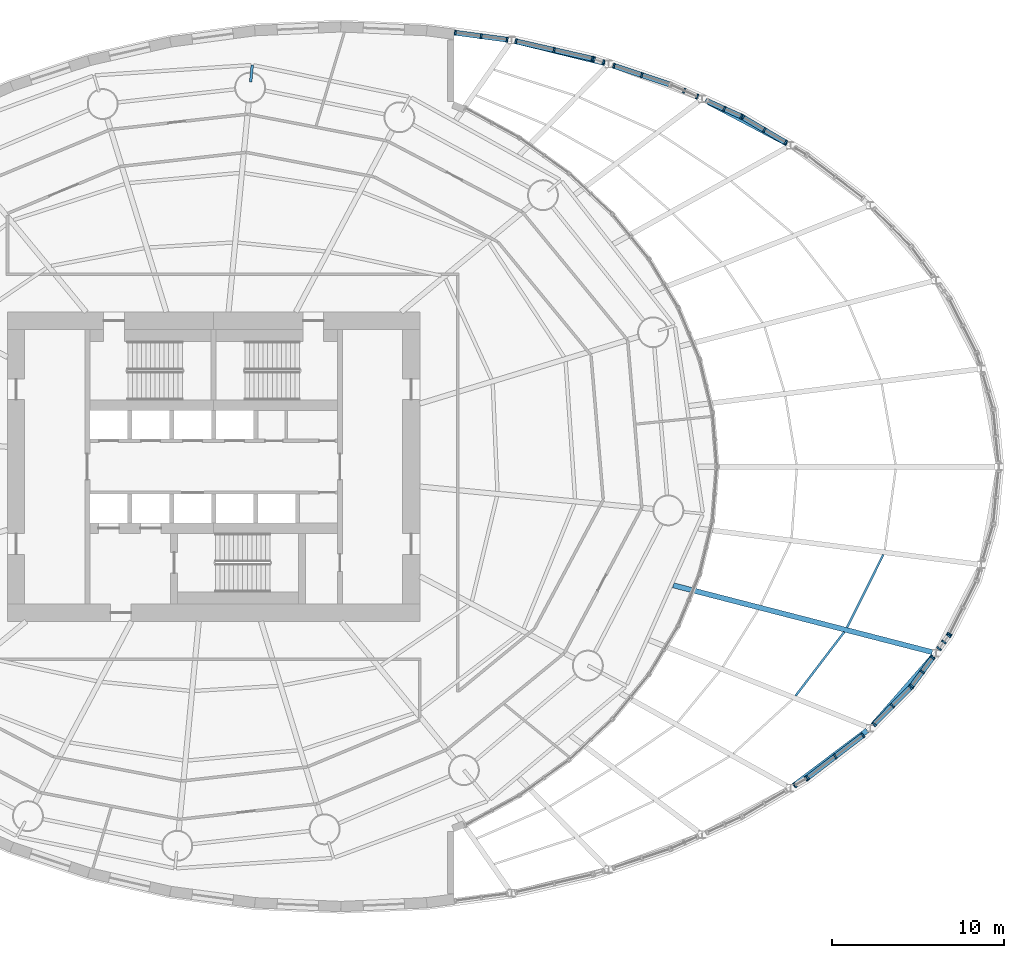
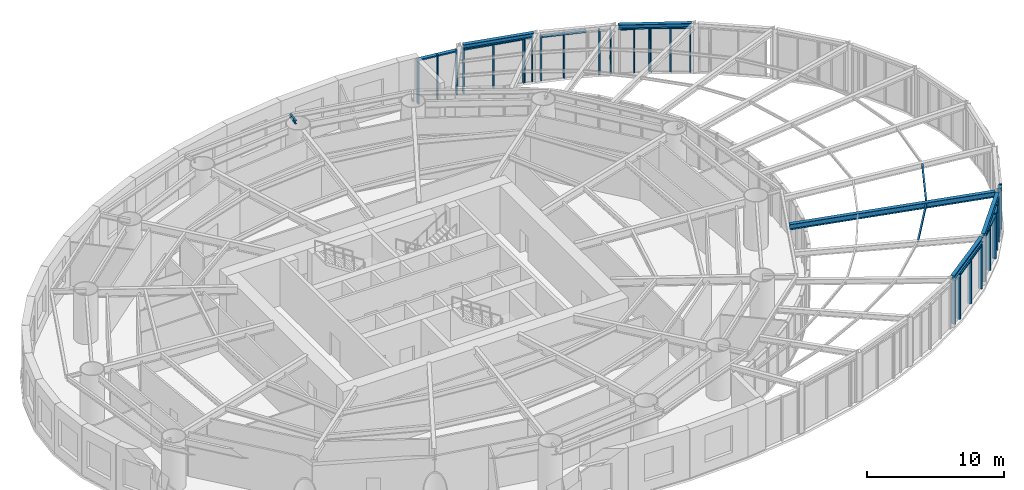
# One storey, part 10 of 23: 48 members, 8 beams, 13 elements without a shape of their own.
"""IFC4 building model written with IfcOpenShell, lengths in metres."""

from ifc_helpers import new_model, si_unit, direction, frame, origin, origin_2d, place, context, subcontext, project, spatial, rectangle, i_section, extrude, material, material_profile, profile_set, type_object, element, aggregate, save


model = new_model("IFC4")

# Units and contexts
model_context = context("Model", 3, precision=1e-05, world=origin(), true_north=direction((0.0, 1.0)))
body_context = subcontext(model_context, "Body", "Model", "MODEL_VIEW")
ifc_project = project(units=[si_unit("LENGTHUNIT", "METRE"), si_unit("AREAUNIT", "SQUARE_METRE"), si_unit("VOLUMEUNIT", "CUBIC_METRE"), si_unit("PLANEANGLEUNIT", "RADIAN"), si_unit("MASSUNIT", "GRAM", prefix="KILO")], contexts=[model_context])

# Site, building, storey
site_placement = place(None, origin())
site = spatial("IfcSite", under=ifc_project, at=site_placement, CompositionType="ELEMENT")
building_placement = place(site_placement, origin())
building = spatial("IfcBuilding", under=site, at=building_placement, Name="Vermilion Reach Broadcast Tower", CompositionType="ELEMENT")
storey_placement = place(building_placement, frame((0.0, 0.0, 31.5)))
storey = spatial("IfcBuildingStorey", under=building, at=storey_placement, Name="L04", CompositionType="ELEMENT", Elevation=31.5)

# Curtain wall, members
ifc_material_1 = material(Name="Low-e laminated clear glass in aluminium frame", Category="aluminium")
curtain_wall_type = type_object("IfcCurtainWallType", Name="Atrium outer wall curtain wall", PredefinedType="NOTDEFINED", material=ifc_material_1)
placement = place(storey_placement, origin())
curtain_wall_1 = element("IfcCurtainWall", 1, at=placement, inside=storey, type_object=curtain_wall_type, Name="Atrium wall L04 05-2", PredefinedType="NOTDEFINED")
ifc_material_2 = material(Name="Anodised aluminium", Category="aluminium")
ifc_material_profile_1 = material_profile(ifc_material_2, rectangle(XDim=0.300048828125, YDim=0.10009765625, at=origin_2d()), Name="Atrium outer wall mullion 100 x 300")
ifc_profile_set_1 = profile_set([ifc_material_profile_1], Name="Anodised aluminium")
member_type_1 = type_object("IfcMemberType", Name="Atrium outer wall mullion 100 x 300", PredefinedType="MULLION", material=ifc_profile_set_1)
member_1_placement = place(storey_placement, frame((27.849609375, -18.5361328125, 0.0), z_axis=(0.0, 0.0, 1.0), x_axis=(-0.508589622127, 0.861009057017, 0.0)))
member_1 = element("IfcMember", 2, at=member_1_placement, type_object=member_type_1, Name="Atrium wall mullion L04 05-2.1", PredefinedType="MULLION", context=body_context, shape_type="SweptSolid", body=[
    extrude(rectangle(XDim=0.300048828125, YDim=0.10009765625, at=origin_2d()), origin(), (0.0, 0.0, 1.0), 3.9599609375),
])
member_2_placement = place(storey_placement, frame((28.48388671875, -18.161376953125, 0.0), z_axis=(0.0, 0.0, 1.0), x_axis=(-0.508589622127, 0.861009057017, 0.0)))
member_2 = element("IfcMember", 3, at=member_2_placement, type_object=member_type_1, Name="Atrium wall mullion L04 05-2.2", PredefinedType="MULLION", context=body_context, shape_type="SweptSolid", body=[
    extrude(rectangle(XDim=0.300048828125, YDim=0.10009765625, at=origin_2d()), origin(), (0.0, 0.0, 1.0), 3.9599609375),
])
aggregate(curtain_wall_1, [member_1, member_2])

curtain_wall_2 = element("IfcCurtainWall", 4, at=placement, inside=storey, type_object=curtain_wall_type, Name="Atrium wall L04 06", PredefinedType="NOTDEFINED")
member_3_placement = place(storey_placement, frame((28.566650390625, -18.10546875, 0.0), z_axis=(0.0, 0.0, 1.0), x_axis=(-0.609113924113, 0.793082736826, 0.0)))
member_3 = element("IfcMember", 5, at=member_3_placement, type_object=member_type_1, Name="Atrium wall mullion L04 06.1", PredefinedType="MULLION", context=body_context, shape_type="SweptSolid", body=[
    extrude(rectangle(XDim=0.300048828125, YDim=0.10009765625, at=origin_2d()), origin(), (0.0, 0.0, 1.0), 3.9599609375),
])
member_4_placement = place(storey_placement, frame((30.17626953125, -16.869140625, 0.0), z_axis=(0.0, 0.0, 1.0), x_axis=(-0.609113924113, 0.793082736826, 0.0)))
member_4 = element("IfcMember", 6, at=member_4_placement, type_object=member_type_1, Name="Atrium wall mullion L04 06.2", PredefinedType="MULLION", context=body_context, shape_type="SweptSolid", body=[
    extrude(rectangle(XDim=0.300048828125, YDim=0.10009765625, at=origin_2d()), origin(), (0.0, 0.0, 1.0), 3.9599609375),
])
member_5_placement = place(storey_placement, frame((31.7861328125, -15.6328125, 0.0), z_axis=(0.0, 0.0, 1.0), x_axis=(-0.609113924113, 0.793082736826, 0.0)))
member_5 = element("IfcMember", 7, at=member_5_placement, type_object=member_type_1, Name="Atrium wall mullion L04 06.3", PredefinedType="MULLION", context=body_context, shape_type="SweptSolid", body=[
    extrude(rectangle(XDim=0.300048828125, YDim=0.10009765625, at=origin_2d()), origin(), (0.0, 0.0, 1.0), 3.9599609375),
])

curtain_wall_3 = element("IfcCurtainWall", 8, at=placement, inside=storey, type_object=curtain_wall_type, Name="Atrium wall L04 07", PredefinedType="NOTDEFINED")
member_6_placement = place(storey_placement, frame((32.43994140625, -14.983154296875, 0.0), z_axis=(0.0, 0.0, 1.0), x_axis=(-0.709925939614, 0.704276337997, 0.0)))
member_6 = element("IfcMember", 9, at=member_6_placement, type_object=member_type_1, Name="Atrium wall mullion L04 07.1", PredefinedType="MULLION", context=body_context, shape_type="SweptSolid", body=[
    extrude(rectangle(XDim=0.300048828125, YDim=0.10009765625, at=origin_2d()), origin(), (0.0, 0.0, 1.0), 3.9599609375),
])
member_7_placement = place(storey_placement, frame((33.5029296875, -13.911865234375, 0.0), z_axis=(0.0, 0.0, 1.0), x_axis=(-0.709925939614, 0.704276337997, 0.0)))
member_7 = element("IfcMember", 10, at=member_7_placement, type_object=member_type_1, Name="Atrium wall mullion L04 07.2", PredefinedType="MULLION", context=body_context, shape_type="SweptSolid", body=[
    extrude(rectangle(XDim=0.300048828125, YDim=0.10009765625, at=origin_2d()), origin(), (0.0, 0.0, 1.0), 3.9599609375),
])
member_8_placement = place(storey_placement, frame((34.56591796875, -12.84033203125, 0.0), z_axis=(0.0, 0.0, 1.0), x_axis=(-0.709925939614, 0.704276337997, 0.0)))
member_8 = element("IfcMember", 11, at=member_8_placement, type_object=member_type_1, Name="Atrium wall mullion L04 07.3", PredefinedType="MULLION", context=body_context, shape_type="SweptSolid", body=[
    extrude(rectangle(XDim=0.300048828125, YDim=0.10009765625, at=origin_2d()), origin(), (0.0, 0.0, 1.0), 3.9599609375),
])

curtain_wall_4 = element("IfcCurtainWall", 12, at=placement, inside=storey, type_object=curtain_wall_type, Name="Atrium wall L04 08-1", PredefinedType="NOTDEFINED")
member_9_placement = place(storey_placement, frame((34.630615234375, -12.764404296875, 0.0), z_axis=(0.0, 0.0, 1.0), x_axis=(-0.806847463604, 0.590759824697, 0.0)))
member_9 = element("IfcMember", 13, at=member_9_placement, type_object=member_type_1, Name="Atrium wall mullion L04 08-1.1", PredefinedType="MULLION", context=body_context, shape_type="SweptSolid", body=[
    extrude(rectangle(XDim=0.300048828125, YDim=0.10009765625, at=origin_2d()), origin(), (0.0, 0.0, 1.0), 3.9599609375),
])
member_10_placement = place(storey_placement, frame((35.236572265625, -11.936767578125, 0.0), z_axis=(0.0, 0.0, 1.0), x_axis=(-0.806847463604, 0.590759824697, 0.0)))
member_10 = element("IfcMember", 14, at=member_10_placement, type_object=member_type_1, Name="Atrium wall mullion L04 08-1.2", PredefinedType="MULLION", context=body_context, shape_type="SweptSolid", body=[
    extrude(rectangle(XDim=0.300048828125, YDim=0.10009765625, at=origin_2d()), origin(), (0.0, 0.0, 1.0), 3.9599609375),
])
member_11_placement = place(storey_placement, frame((35.8427734375, -11.109130859375, 0.0), z_axis=(0.0, 0.0, 1.0), x_axis=(-0.806847463604, 0.590759824697, 0.0)))
member_11 = element("IfcMember", 15, at=member_11_placement, type_object=member_type_1, Name="Atrium wall mullion L04 08-1.3", PredefinedType="MULLION", context=body_context, shape_type="SweptSolid", body=[
    extrude(rectangle(XDim=0.300048828125, YDim=0.10009765625, at=origin_2d()), origin(), (0.0, 0.0, 1.0), 3.9599609375),
])

curtain_wall_5 = element("IfcCurtainWall", 16, at=placement, inside=storey, type_object=curtain_wall_type, Name="Atrium wall L04 08-2", PredefinedType="NOTDEFINED")
member_12_placement = place(storey_placement, frame((36.2255859375, -10.586181640625, 0.0), z_axis=(0.0, 0.0, 1.0), x_axis=(-0.806847463604, 0.590759824697, 0.0)))
member_12 = element("IfcMember", 17, at=member_12_placement, type_object=member_type_1, Name="Atrium wall mullion L04 08-2.1", PredefinedType="MULLION", context=body_context, shape_type="SweptSolid", body=[
    extrude(rectangle(XDim=0.300048828125, YDim=0.10009765625, at=origin_2d()), origin(), (0.0, 0.0, 1.0), 3.9599609375),
])
member_13_placement = place(storey_placement, frame((36.501220703125, -10.209716796875, 0.0), z_axis=(0.0, 0.0, 1.0), x_axis=(-0.806847463604, 0.590759824697, 0.0)))
member_13 = element("IfcMember", 18, at=member_13_placement, type_object=member_type_1, Name="Atrium wall mullion L04 08-2.2", PredefinedType="MULLION", context=body_context, shape_type="SweptSolid", body=[
    extrude(rectangle(XDim=0.300048828125, YDim=0.10009765625, at=origin_2d()), origin(), (0.0, 0.0, 1.0), 3.9599609375),
])
member_14_placement = place(storey_placement, frame((36.777099609375, -9.8330078125, 0.0), z_axis=(0.0, 0.0, 1.0), x_axis=(-0.806847463604, 0.590759824697, 0.0)))
member_14 = element("IfcMember", 19, at=member_14_placement, type_object=member_type_1, Name="Atrium wall mullion L04 08-2.3", PredefinedType="MULLION", context=body_context, shape_type="SweptSolid", body=[
    extrude(rectangle(XDim=0.300048828125, YDim=0.10009765625, at=origin_2d()), origin(), (0.0, 0.0, 1.0), 3.9599609375),
])
aggregate(curtain_wall_5, [member_12, member_13, member_14])

# Curtain wall, member
curtain_wall_6 = element("IfcCurtainWall", 20, at=placement, inside=storey, type_object=curtain_wall_type, Name="Atrium wall L04 09", PredefinedType="NOTDEFINED")
member_15_placement = place(storey_placement, frame((36.8291015625, -9.748046875, 0.0), z_axis=(0.0, 0.0, 1.0), x_axis=(-0.892992378986, 0.450071784356, 0.0)))
member_15 = element("IfcMember", 21, at=member_15_placement, type_object=member_type_1, Name="Atrium wall mullion L04 09.1", PredefinedType="MULLION", context=body_context, shape_type="SweptSolid", body=[
    extrude(rectangle(XDim=0.300048828125, YDim=0.10009765625, at=origin_2d()), origin(), (0.0, 0.0, 1.0), 3.9599609375),
])
aggregate(curtain_wall_6, [member_15])

# Curtain wall, members
curtain_wall_7 = element("IfcCurtainWall", 22, at=placement, inside=storey, type_object=curtain_wall_type, Name="Atrium wall L04 18-2", PredefinedType="NOTDEFINED")
member_16_placement = place(storey_placement, frame((27.291748046875, 18.86572265625, 0.0), z_axis=(0.0, 0.0, 1.0), x_axis=(-0.508589622127, -0.861009057017, 0.0)))
member_16 = element("IfcMember", 23, at=member_16_placement, type_object=member_type_1, Name="Atrium wall mullion L04 18-2.1", PredefinedType="MULLION", context=body_context, shape_type="SweptSolid", body=[
    extrude(rectangle(XDim=0.300048828125, YDim=0.10009765625, at=origin_2d()), origin(), (0.0, 0.0, 1.0), 3.9599609375),
])
member_17_placement = place(storey_placement, frame((26.0478515625, 19.6005859375, 0.0), z_axis=(0.0, 0.0, 1.0), x_axis=(-0.508589622127, -0.861009057017, 0.0)))
member_17 = element("IfcMember", 24, at=member_17_placement, type_object=member_type_1, Name="Atrium wall mullion L04 18-2.2", PredefinedType="MULLION", context=body_context, shape_type="SweptSolid", body=[
    extrude(rectangle(XDim=0.300048828125, YDim=0.10009765625, at=origin_2d()), origin(), (0.0, 0.0, 1.0), 3.9599609375),
])
member_18_placement = place(storey_placement, frame((24.8037109375, 20.33544921875, 0.0), z_axis=(0.0, 0.0, 1.0), x_axis=(-0.508589622127, -0.861009057017, 0.0)))
member_18 = element("IfcMember", 25, at=member_18_placement, type_object=member_type_1, Name="Atrium wall mullion L04 18-2.3", PredefinedType="MULLION", context=body_context, shape_type="SweptSolid", body=[
    extrude(rectangle(XDim=0.300048828125, YDim=0.10009765625, at=origin_2d()), origin(), (0.0, 0.0, 1.0), 3.9599609375),
])

curtain_wall_8 = element("IfcCurtainWall", 26, at=placement, inside=storey, type_object=curtain_wall_type, Name="Atrium wall L04 19-1", PredefinedType="NOTDEFINED")
member_19_placement = place(storey_placement, frame((24.715087890625, 20.38134765625, 0.0), z_axis=(0.0, 0.0, 1.0), x_axis=(-0.410407876277, -0.911902064418, 0.0)))
member_19 = element("IfcMember", 27, at=member_19_placement, type_object=member_type_1, Name="Atrium wall mullion L04 19-1.1", PredefinedType="MULLION", context=body_context, shape_type="SweptSolid", body=[
    extrude(rectangle(XDim=0.300048828125, YDim=0.10009765625, at=origin_2d()), origin(), (0.0, 0.0, 1.0), 3.9599609375),
])
member_20_placement = place(storey_placement, frame((23.720947265625, 20.82861328125, 0.0), z_axis=(0.0, 0.0, 1.0), x_axis=(-0.410407876277, -0.911902064418, 0.0)))
member_20 = element("IfcMember", 28, at=member_20_placement, type_object=member_type_1, Name="Atrium wall mullion L04 19-1.2", PredefinedType="MULLION", context=body_context, shape_type="SweptSolid", body=[
    extrude(rectangle(XDim=0.300048828125, YDim=0.10009765625, at=origin_2d()), origin(), (0.0, 0.0, 1.0), 3.9599609375),
])

curtain_wall_9 = element("IfcCurtainWall", 29, at=placement, inside=storey, type_object=curtain_wall_type, Name="Atrium wall L04 19-2", PredefinedType="NOTDEFINED")
member_21_placement = place(storey_placement, frame((22.1357421875, 21.5419921875, 0.0), z_axis=(0.0, 0.0, 1.0), x_axis=(-0.410407876277, -0.911902064418, 0.0)))
member_21 = element("IfcMember", 30, at=member_21_placement, type_object=member_type_1, Name="Atrium wall mullion L04 19-2.1", PredefinedType="MULLION", context=body_context, shape_type="SweptSolid", body=[
    extrude(rectangle(XDim=0.300048828125, YDim=0.10009765625, at=origin_2d()), origin(), (0.0, 0.0, 1.0), 3.9599609375),
])
member_22_placement = place(storey_placement, frame((21.386474609375, 21.87939453125, 0.0), z_axis=(0.0, 0.0, 1.0), x_axis=(-0.410407876277, -0.911902064418, 0.0)))
member_22 = element("IfcMember", 31, at=member_22_placement, type_object=member_type_1, Name="Atrium wall mullion L04 19-2.2", PredefinedType="MULLION", context=body_context, shape_type="SweptSolid", body=[
    extrude(rectangle(XDim=0.300048828125, YDim=0.10009765625, at=origin_2d()), origin(), (0.0, 0.0, 1.0), 3.9599609375),
])
aggregate(curtain_wall_9, [member_21, member_22])

curtain_wall_10 = element("IfcCurtainWall", 32, at=placement, inside=storey, type_object=curtain_wall_type, Name="Atrium wall L04 20-1", PredefinedType="NOTDEFINED")
member_23_placement = place(storey_placement, frame((18.91796875, 22.79296875, 0.0), z_axis=(0.0, 0.0, 1.0), x_axis=(-0.315228098746, -0.949015935462, 0.0)))
member_23 = element("IfcMember", 33, at=member_23_placement, type_object=member_type_1, Name="Atrium wall mullion L04 20-1.2", PredefinedType="MULLION", context=body_context, shape_type="SweptSolid", body=[
    extrude(rectangle(XDim=0.300048828125, YDim=0.10009765625, at=origin_2d()), origin(), (0.0, 0.0, 1.0), 3.9599609375),
])
member_24_placement = place(storey_placement, frame((17.2919921875, 23.3330078125, 0.0), z_axis=(0.0, 0.0, 1.0), x_axis=(-0.315228098746, -0.949015935462, 0.0)))
member_24 = element("IfcMember", 34, at=member_24_placement, type_object=member_type_1, Name="Atrium wall mullion L04 20-1.3", PredefinedType="MULLION", context=body_context, shape_type="SweptSolid", body=[
    extrude(rectangle(XDim=0.300048828125, YDim=0.10009765625, at=origin_2d()), origin(), (0.0, 0.0, 1.0), 3.9599609375),
])

curtain_wall_11 = element("IfcCurtainWall", 35, at=placement, inside=storey, type_object=curtain_wall_type, Name="Atrium wall L04 20-2", PredefinedType="NOTDEFINED")
member_25_placement = place(storey_placement, frame((16.67724609375, 23.537353515625, 0.0), z_axis=(0.0, 0.0, 1.0), x_axis=(-0.315228098746, -0.949015935462, 0.0)))
member_25 = element("IfcMember", 36, at=member_25_placement, type_object=member_type_1, Name="Atrium wall mullion L04 20-2.1", PredefinedType="MULLION", context=body_context, shape_type="SweptSolid", body=[
    extrude(rectangle(XDim=0.300048828125, YDim=0.10009765625, at=origin_2d()), origin(), (0.0, 0.0, 1.0), 3.9599609375),
])
member_26_placement = place(storey_placement, frame((16.138427734375, 23.71630859375, 0.0), z_axis=(0.0, 0.0, 1.0), x_axis=(-0.315228098746, -0.949015935462, 0.0)))
member_26 = element("IfcMember", 37, at=member_26_placement, type_object=member_type_1, Name="Atrium wall mullion L04 20-2.2", PredefinedType="MULLION", context=body_context, shape_type="SweptSolid", body=[
    extrude(rectangle(XDim=0.300048828125, YDim=0.10009765625, at=origin_2d()), origin(), (0.0, 0.0, 1.0), 3.9599609375),
])
aggregate(curtain_wall_11, [member_25, member_26])

curtain_wall_12 = element("IfcCurtainWall", 38, at=placement, inside=storey, type_object=curtain_wall_type, Name="Atrium wall L04 21", PredefinedType="NOTDEFINED")
member_27_placement = place(storey_placement, frame((16.042236328125, 23.7431640625, 0.0), z_axis=(0.0, 0.0, 1.0), x_axis=(-0.222891523278, -0.974843253478, 0.0)))
member_27 = element("IfcMember", 39, at=member_27_placement, type_object=member_type_1, Name="Atrium wall mullion L04 21.1", PredefinedType="MULLION", context=body_context, shape_type="SweptSolid", body=[
    extrude(rectangle(XDim=0.300048828125, YDim=0.10009765625, at=origin_2d()), origin(), (0.0, 0.0, 1.0), 3.9599609375),
])
member_28_placement = place(storey_placement, frame((13.818359375, 24.251708984375, 0.0), z_axis=(0.0, 0.0, 1.0), x_axis=(-0.222891523278, -0.974843253478, 0.0)))
member_28 = element("IfcMember", 40, at=member_28_placement, type_object=member_type_1, Name="Atrium wall mullion L04 21.2", PredefinedType="MULLION", context=body_context, shape_type="SweptSolid", body=[
    extrude(rectangle(XDim=0.300048828125, YDim=0.10009765625, at=origin_2d()), origin(), (0.0, 0.0, 1.0), 3.9599609375),
])
member_29_placement = place(storey_placement, frame((11.594482421875, 24.760009765625, 0.0), z_axis=(0.0, 0.0, 1.0), x_axis=(-0.222891523278, -0.974843253478, 0.0)))
member_29 = element("IfcMember", 41, at=member_29_placement, type_object=member_type_1, Name="Atrium wall mullion L04 21.3", PredefinedType="MULLION", context=body_context, shape_type="SweptSolid", body=[
    extrude(rectangle(XDim=0.300048828125, YDim=0.10009765625, at=origin_2d()), origin(), (0.0, 0.0, 1.0), 3.9599609375),
])

curtain_wall_13 = element("IfcCurtainWall", 42, at=placement, inside=storey, type_object=curtain_wall_type, Name="Atrium wall L04 22", PredefinedType="NOTDEFINED")
member_30_placement = place(storey_placement, frame((11.075439453125, 24.85400390625, 0.0), z_axis=(0.0, 0.0, 1.0), x_axis=(-0.132793713723, -0.991143697753, 0.0)))
member_30 = element("IfcMember", 43, at=member_30_placement, type_object=member_type_1, Name="Atrium wall mullion L04 22.1", PredefinedType="MULLION", context=body_context, shape_type="SweptSolid", body=[
    extrude(rectangle(XDim=0.300048828125, YDim=0.10009765625, at=origin_2d()), origin(), (0.0, 0.0, 1.0), 3.9599609375),
])
member_31_placement = place(storey_placement, frame((9.569091796875, 25.055908203125, 0.0), z_axis=(0.0, 0.0, 1.0), x_axis=(-0.132793713723, -0.991143697753, 0.0)))
member_31 = element("IfcMember", 44, at=member_31_placement, type_object=member_type_1, Name="Atrium wall mullion L04 22.2", PredefinedType="MULLION", context=body_context, shape_type="SweptSolid", body=[
    extrude(rectangle(XDim=0.300048828125, YDim=0.10009765625, at=origin_2d()), origin(), (0.0, 0.0, 1.0), 3.9599609375),
])
member_32_placement = place(storey_placement, frame((8.062744140625, 25.257568359375, 0.0), z_axis=(0.0, 0.0, 1.0), x_axis=(-0.132793713723, -0.991143697753, 0.0)))
member_32 = element("IfcMember", 45, at=member_32_placement, type_object=member_type_1, Name="Atrium wall mullion L04 22.3", PredefinedType="MULLION", context=body_context, shape_type="SweptSolid", body=[
    extrude(rectangle(XDim=0.300048828125, YDim=0.10009765625, at=origin_2d()), origin(), (0.0, 0.0, 1.0), 3.9599609375),
])

# Member
ifc_material_3 = material(Name="Anodised aluminium", Category="aluminium")
ifc_material_profile_2 = material_profile(ifc_material_3, rectangle(XDim=0.300048828125, YDim=0.1201171875, at=origin_2d()), Name="Atrium outer wall transom 300 x 120")
ifc_profile_set_2 = profile_set([ifc_material_profile_2], Name="Anodised aluminium")
member_type_2 = type_object("IfcMemberType", Name="Atrium outer wall transom 300 x 120", PredefinedType="USERDEFINED", material=ifc_profile_set_2)
member_33_placement = place(storey_placement, frame((28.606201171875, -18.0751953125, 3.89990234375), z_axis=(0.79307054721, 0.609129794993, 0.0), x_axis=(-0.609129794993, 0.79307054721, 0.0)))
member_33 = element("IfcMember", 46, at=member_33_placement, type_object=member_type_2, Name="Atrium wall transom L04 06.1.2", ObjectType="TRANSOM", PredefinedType="USERDEFINED", context=body_context, shape_type="SweptSolid", body=[
    extrude(rectangle(XDim=0.300048828125, YDim=0.1201171875, at=origin_2d()), origin(), (0.0, 0.0, 1.0), 1.929931640625),
])

member_34_placement = place(storey_placement, frame((30.216064453125, -16.8388671875, 3.89990234375), z_axis=(0.79307054721, 0.609129794993, 0.0), x_axis=(-0.609129794993, 0.79307054721, 0.0)))
member_34 = element("IfcMember", 47, at=member_34_placement, type_object=member_type_2, Name="Atrium wall transom L04 06.2.2", ObjectType="TRANSOM", PredefinedType="USERDEFINED", context=body_context, shape_type="SweptSolid", body=[
    extrude(rectangle(XDim=0.300048828125, YDim=0.1201171875, at=origin_2d()), origin(), (0.0, 0.0, 1.0), 1.929931640625),
])

aggregate(curtain_wall_2, [member_3, member_4, member_5, member_33, member_34])

member_35_placement = place(storey_placement, frame((32.475341796875, -14.94775390625, 3.89990234375), z_axis=(0.704242454473, 0.709959551889, 0.0), x_axis=(-0.709959551889, 0.704242454473, 0.0)))
member_35 = element("IfcMember", 48, at=member_35_placement, type_object=member_type_2, Name="Atrium wall transom L04 07.1.2", ObjectType="TRANSOM", PredefinedType="USERDEFINED", context=body_context, shape_type="SweptSolid", body=[
    extrude(rectangle(XDim=0.300048828125, YDim=0.1201171875, at=origin_2d()), origin(), (0.0, 0.0, 1.0), 1.4091796875),
])

member_36_placement = place(storey_placement, frame((33.5380859375, -13.876220703125, 3.89990234375), z_axis=(0.704329761537, 0.709872937231, 0.0), x_axis=(-0.709872937231, 0.704329761537, 0.0)))
member_36 = element("IfcMember", 49, at=member_36_placement, type_object=member_type_2, Name="Atrium wall transom L04 07.2.2", ObjectType="TRANSOM", PredefinedType="USERDEFINED", context=body_context, shape_type="SweptSolid", body=[
    extrude(rectangle(XDim=0.300048828125, YDim=0.1201171875, at=origin_2d()), origin(), (0.0, 0.0, 1.0), 1.409423828125),
])

aggregate(curtain_wall_3, [member_6, member_7, member_8, member_35, member_36])

member_37_placement = place(storey_placement, frame((34.66015625, -12.72412109375, 3.89990234375), z_axis=(0.590677537, 0.806907706794, 0.0), x_axis=(-0.806907706794, 0.590677537, 0.0)))
member_37 = element("IfcMember", 50, at=member_37_placement, type_object=member_type_2, Name="Atrium wall transom L04 08-1.1.2", ObjectType="TRANSOM", PredefinedType="USERDEFINED", context=body_context, shape_type="SweptSolid", body=[
    extrude(rectangle(XDim=0.300048828125, YDim=0.1201171875, at=origin_2d()), origin(), (0.0, 0.0, 1.0), 0.92578125),
])

member_38_placement = place(storey_placement, frame((35.26611328125, -11.896484375, 3.89990234375), z_axis=(0.590849188932, 0.806782025047, 0.0), x_axis=(-0.806782025047, 0.590849188932, 0.0)))
member_38 = element("IfcMember", 51, at=member_38_placement, type_object=member_type_2, Name="Atrium wall transom L04 08-1.2.2", ObjectType="TRANSOM", PredefinedType="USERDEFINED", context=body_context, shape_type="SweptSolid", body=[
    extrude(rectangle(XDim=0.300048828125, YDim=0.1201171875, at=origin_2d()), origin(), (0.0, 0.0, 1.0), 0.926025390625),
])

aggregate(curtain_wall_4, [member_9, member_10, member_11, member_37, member_38])

member_39_placement = place(storey_placement, frame((27.248779296875, 18.89111328125, 3.89990234375), z_axis=(-0.861060223376, 0.508502990866, 0.0), x_axis=(-0.508502990866, -0.861060223376, 0.0)))
member_39 = element("IfcMember", 52, at=member_39_placement, type_object=member_type_2, Name="Atrium wall transom L04 18-2.1.2", ObjectType="TRANSOM", PredefinedType="USERDEFINED", context=body_context, shape_type="SweptSolid", body=[
    extrude(rectangle(XDim=0.300048828125, YDim=0.1201171875, at=origin_2d()), origin(), (0.0, 0.0, 1.0), 1.3447265625),
])

member_40_placement = place(storey_placement, frame((26.004638671875, 19.6259765625, 3.89990234375), z_axis=(-0.861060223376, 0.508502990866, 0.0), x_axis=(-0.508502990866, -0.861060223376, 0.0)))
member_40 = element("IfcMember", 53, at=member_40_placement, type_object=member_type_2, Name="Atrium wall transom L04 18-2.2.2", ObjectType="TRANSOM", PredefinedType="USERDEFINED", context=body_context, shape_type="SweptSolid", body=[
    extrude(rectangle(XDim=0.300048828125, YDim=0.1201171875, at=origin_2d()), origin(), (0.0, 0.0, 1.0), 1.3447265625),
])

aggregate(curtain_wall_7, [member_16, member_17, member_18, member_39, member_40])

member_41_placement = place(storey_placement, frame((24.66943359375, 20.40185546875, 3.89990234375), z_axis=(-0.911972242519, 0.410251909044, 0.0), x_axis=(-0.410251909044, -0.911972242519, 0.0)))
member_41 = element("IfcMember", 54, at=member_41_placement, type_object=member_type_2, Name="Atrium wall transom L04 19-1.1.2", ObjectType="TRANSOM", PredefinedType="USERDEFINED", context=body_context, shape_type="SweptSolid", body=[
    extrude(rectangle(XDim=0.300048828125, YDim=0.1201171875, at=origin_2d()), origin(), (0.0, 0.0, 1.0), 0.990234375),
])

member_42_placement = place(storey_placement, frame((23.67529296875, 20.84912109375, 3.89990234375), z_axis=(-0.911879986632, 0.410456928289, 0.0), x_axis=(-0.410456928289, -0.911879986632, 0.0)))
member_42 = element("IfcMember", 55, at=member_42_placement, type_object=member_type_2, Name="Atrium wall transom L04 19-1.2.2", ObjectType="TRANSOM", PredefinedType="USERDEFINED", context=body_context, shape_type="SweptSolid", body=[
    extrude(rectangle(XDim=0.300048828125, YDim=0.1201171875, at=origin_2d()), origin(), (0.0, 0.0, 1.0), 0.990234375),
])

aggregate(curtain_wall_8, [member_19, member_20, member_41, member_42])

member_43_placement = place(storey_placement, frame((20.49658203125, 22.2685546875, 3.89990234375), z_axis=(-0.949015707131, 0.315228786151, 0.0), x_axis=(-0.315228786151, -0.949015707131, 0.0)))
member_43 = element("IfcMember", 56, at=member_43_placement, type_object=member_type_2, Name="Atrium wall transom L04 20-1.1.2", ObjectType="TRANSOM", PredefinedType="USERDEFINED", context=body_context, shape_type="SweptSolid", body=[
    extrude(rectangle(XDim=0.300048828125, YDim=0.1201171875, at=origin_2d()), origin(), (0.0, 0.0, 1.0), 1.61328125),
])

member_44_placement = place(storey_placement, frame((18.87060546875, 22.808837890625, 3.89990234375), z_axis=(-0.949015707131, 0.315228786151, 0.0), x_axis=(-0.315228786151, -0.949015707131, 0.0)))
member_44 = element("IfcMember", 57, at=member_44_placement, type_object=member_type_2, Name="Atrium wall transom L04 20-1.2.2", ObjectType="TRANSOM", PredefinedType="USERDEFINED", context=body_context, shape_type="SweptSolid", body=[
    extrude(rectangle(XDim=0.300048828125, YDim=0.1201171875, at=origin_2d()), origin(), (0.0, 0.0, 1.0), 1.61328125),
])

aggregate(curtain_wall_10, [member_23, member_24, member_43, member_44])

member_45_placement = place(storey_placement, frame((15.99365234375, 23.75439453125, 3.89990234375), z_axis=(-0.97485503326, 0.222839996696, 0.0), x_axis=(-0.222839996696, -0.97485503326, 0.0)))
member_45 = element("IfcMember", 58, at=member_45_placement, type_object=member_type_2, Name="Atrium wall transom L04 21.1.2", ObjectType="TRANSOM", PredefinedType="USERDEFINED", context=body_context, shape_type="SweptSolid", body=[
    extrude(rectangle(XDim=0.300048828125, YDim=0.1201171875, at=origin_2d()), origin(), (0.0, 0.0, 1.0), 2.181396484375),
])

member_46_placement = place(storey_placement, frame((13.769775390625, 24.2626953125, 3.89990234375), z_axis=(-0.97483071414, 0.222946358504, 0.0), x_axis=(-0.222946358504, -0.97483071414, 0.0)))
member_46 = element("IfcMember", 59, at=member_46_placement, type_object=member_type_2, Name="Atrium wall transom L04 21.2.2", ObjectType="TRANSOM", PredefinedType="USERDEFINED", context=body_context, shape_type="SweptSolid", body=[
    extrude(rectangle(XDim=0.300048828125, YDim=0.1201171875, at=origin_2d()), origin(), (0.0, 0.0, 1.0), 2.181396484375),
])

aggregate(curtain_wall_12, [member_27, member_28, member_29, member_45, member_46])

member_47_placement = place(storey_placement, frame((11.02587890625, 24.860595703125, 3.89990234375), z_axis=(-0.991149634463, 0.132749395872, 0.0), x_axis=(-0.132749395872, -0.991149634463, 0.0)))
member_47 = element("IfcMember", 60, at=member_47_placement, type_object=member_type_2, Name="Atrium wall transom L04 22.1.2", ObjectType="TRANSOM", PredefinedType="USERDEFINED", context=body_context, shape_type="SweptSolid", body=[
    extrude(rectangle(XDim=0.300048828125, YDim=0.1201171875, at=origin_2d()), origin(), (0.0, 0.0, 1.0), 1.419677734375),
])

member_48_placement = place(storey_placement, frame((9.51953125, 25.0625, 3.89990234375), z_axis=(-0.991149634463, 0.132749395872, 0.0), x_axis=(-0.132749395872, -0.991149634463, 0.0)))
member_48 = element("IfcMember", 61, at=member_48_placement, type_object=member_type_2, Name="Atrium wall transom L04 22.2.2", ObjectType="TRANSOM", PredefinedType="USERDEFINED", context=body_context, shape_type="SweptSolid", body=[
    extrude(rectangle(XDim=0.300048828125, YDim=0.1201171875, at=origin_2d()), origin(), (0.0, 0.0, 1.0), 1.419677734375),
])

aggregate(curtain_wall_13, [member_30, member_31, member_32, member_47, member_48])

# Beams
ifc_material_4 = material(Name="Steel S355J2", Category="steel")
ifc_material_profile_3 = material_profile(ifc_material_4, i_section(OverallWidth=0.14990234375, OverallDepth=0.300048828125, WebThickness=0.006591796875, FlangeThickness=0.009033203125, at=origin_2d()), Name="S355J2 HN 300x150x6.5x9")
ifc_profile_set_3 = profile_set([ifc_material_profile_3], Name="Steel S355J2")
beam_type_1 = type_object("IfcBeamType", Name="GS1 HN 300x150x6.5x9", PredefinedType="BEAM", material=ifc_profile_set_3)
beam_1_placement = place(storey_placement, frame((-3.8486328125, 22.3837890625, 4.199951171875), z_axis=(0.095684500029, 0.995411712034, 0.0), x_axis=(-0.995411712034, 0.095684500029, 0.0)))
element("IfcBeam", 62, at=beam_1_placement, inside=storey, type_object=beam_type_1, Name="Cantilever stub GS1-04", PredefinedType="BEAM", context=body_context, shape_type="SweptSolid", body=[
    extrude(i_section(OverallWidth=0.14990234375, OverallDepth=0.300048828125, WebThickness=0.006591796875, FlangeThickness=0.009033203125, at=origin_2d()), origin(), (0.0, 0.0, 1.0), 1.000244140625),
])
ifc_material_5 = material(Name="Steel S355J2", Category="steel")
ifc_material_profile_4 = material_profile(ifc_material_5, i_section(OverallWidth=0.125, OverallDepth=0.25, WebThickness=0.006103515625, FlangeThickness=0.009033203125, at=origin_2d()), Name="S355J2 HN 250x125x6x9")
ifc_profile_set_4 = profile_set([ifc_material_profile_4], Name="Steel S355J2")
beam_type_2 = type_object("IfcBeamType", Name="PU1 HN 250x125x6x9", PredefinedType="JOIST", material=ifc_profile_set_4)
beam_2_placement = place(storey_placement, frame((27.874267578125, -13.330810546875, 4.22509765625), z_axis=(0.606128239747, 0.795366932291, 0.0), x_axis=(-0.795366932291, 0.606128239747, 0.0)))
element("IfcBeam", 63, at=beam_2_placement, inside=storey, type_object=beam_type_2, Name="Atrium purlin PU1-05-2", PredefinedType="JOIST", context=body_context, shape_type="SweptSolid", body=[
    extrude(i_section(OverallWidth=0.125, OverallDepth=0.25, WebThickness=0.006103515625, FlangeThickness=0.009033203125, at=origin_2d()), origin(), (0.0, 0.0, 1.0), 4.671630859375),
])
beam_3_placement = place(storey_placement, frame((30.863525390625, -9.36181640625, 4.22509765625), z_axis=(0.44560652838, 0.895228921486, 0.0), x_axis=(-0.895228921486, 0.44560652838, 0.0)))
element("IfcBeam", 64, at=beam_3_placement, inside=storey, type_object=beam_type_2, Name="Atrium purlin PU1-06-2", PredefinedType="JOIST", context=body_context, shape_type="SweptSolid", body=[
    extrude(i_section(OverallWidth=0.125, OverallDepth=0.25, WebThickness=0.006103515625, FlangeThickness=0.009033203125, at=origin_2d()), origin(), (0.0, 0.0, 1.0), 4.741943359375),
])
ifc_material_6 = material(Name="Steel S355J2", Category="steel")
ifc_material_profile_5 = material_profile(ifc_material_6, i_section(OverallWidth=0.300048828125, OverallDepth=0.488037109375, WebThickness=0.010986328125, FlangeThickness=0.01806640625, at=origin_2d()), Name="S355J2 HM 488x300x11x18")
ifc_profile_set_5 = profile_set([ifc_material_profile_5], Name="Steel S355J2")
beam_type_3 = type_object("IfcBeamType", Name="RF1 HM 488x300x11x18", PredefinedType="BEAM", material=ifc_profile_set_5)
beam_4_placement = place(storey_placement, frame((20.74853515625, -6.90283203125, 4.10595703125), z_axis=(0.968276834056, -0.249879916421, 0.0), x_axis=(0.249879916421, 0.968276834056, 0.0)))
element("IfcBeam", 65, at=beam_4_placement, inside=storey, type_object=beam_type_3, Name="Atrium rafter RF1-06", PredefinedType="BEAM", context=body_context, shape_type="SweptSolid", body=[
    extrude(i_section(OverallWidth=0.300048828125, OverallDepth=0.488037109375, WebThickness=0.010986328125, FlangeThickness=0.01806640625, at=origin_2d()), origin(), (0.0, 0.0, 1.0), 15.566162109375),
])
ifc_material_7 = material(Name="Steel S355J2", Category="steel")
ifc_material_profile_6 = material_profile(ifc_material_7, i_section(OverallWidth=0.300048828125, OverallDepth=0.389892578125, WebThickness=0.010009765625, FlangeThickness=0.01611328125, at=origin_2d()), Name="S355J2 HM 390x300x10x16")
ifc_profile_set_6 = profile_set([ifc_material_profile_6], Name="Steel S355J2")
beam_type_4 = type_object("IfcBeamType", Name="RM1 HM 390x300x10x16", PredefinedType="BEAM", material=ifc_profile_set_6)
beam_5_placement = place(storey_placement, frame((27.74658203125, -18.568603515625, 4.155029296875), z_axis=(0.799426308376, 0.600764161278, 0.0), x_axis=(-0.600764161278, 0.799426308376, 0.0)))
element("IfcBeam", 66, at=beam_5_placement, inside=storey, type_object=beam_type_4, Name="Rim beam AP04-AP05", PredefinedType="BEAM", context=body_context, shape_type="SweptSolid", body=[
    extrude(i_section(OverallWidth=0.300048828125, OverallDepth=0.389892578125, WebThickness=0.010009765625, FlangeThickness=0.01611328125, at=origin_2d()), origin(), (0.0, 0.0, 1.0), 5.365478515625),
])
beam_6_placement = place(storey_placement, frame((32.356689453125, -15.047607421875, 4.155029296875), z_axis=(0.658704425983, 0.752401807009, 0.0), x_axis=(-0.752401807009, 0.658704425983, 0.0)))
element("IfcBeam", 67, at=beam_6_placement, inside=storey, type_object=beam_type_4, Name="Rim beam AP05-AP06", PredefinedType="BEAM", context=body_context, shape_type="SweptSolid", body=[
    extrude(i_section(OverallWidth=0.300048828125, OverallDepth=0.389892578125, WebThickness=0.010009765625, FlangeThickness=0.01611328125, at=origin_2d()), origin(), (0.0, 0.0, 1.0), 5.3623046875),
])
beam_7_placement = place(storey_placement, frame((27.3759765625, 18.80322265625, 4.155029296875), z_axis=(-0.884684356477, 0.46619050763, 0.0), x_axis=(-0.46619050763, -0.884684356477, 0.0)))
element("IfcBeam", 68, at=beam_7_placement, inside=storey, type_object=beam_type_4, Name="Rim beam AP12-AP13", PredefinedType="BEAM", context=body_context, shape_type="SweptSolid", body=[
    extrude(i_section(OverallWidth=0.300048828125, OverallDepth=0.389892578125, WebThickness=0.010009765625, FlangeThickness=0.01611328125, at=origin_2d()), origin(), (0.0, 0.0, 1.0), 5.369384765625),
])
beam_8_placement = place(storey_placement, frame((16.77099609375, 23.487548828125, 4.155029296875), z_axis=(-0.97127010403, 0.237979799598, 0.0), x_axis=(-0.237979799598, -0.97127010403, 0.0)))
element("IfcBeam", 69, at=beam_8_placement, inside=storey, type_object=beam_type_4, Name="Rim beam AP14-AP15", PredefinedType="BEAM", context=body_context, shape_type="SweptSolid", body=[
    extrude(i_section(OverallWidth=0.300048828125, OverallDepth=0.389892578125, WebThickness=0.010009765625, FlangeThickness=0.01611328125, at=origin_2d()), origin(), (0.0, 0.0, 1.0), 5.37451171875),
])

save(model, "model.ifc")
